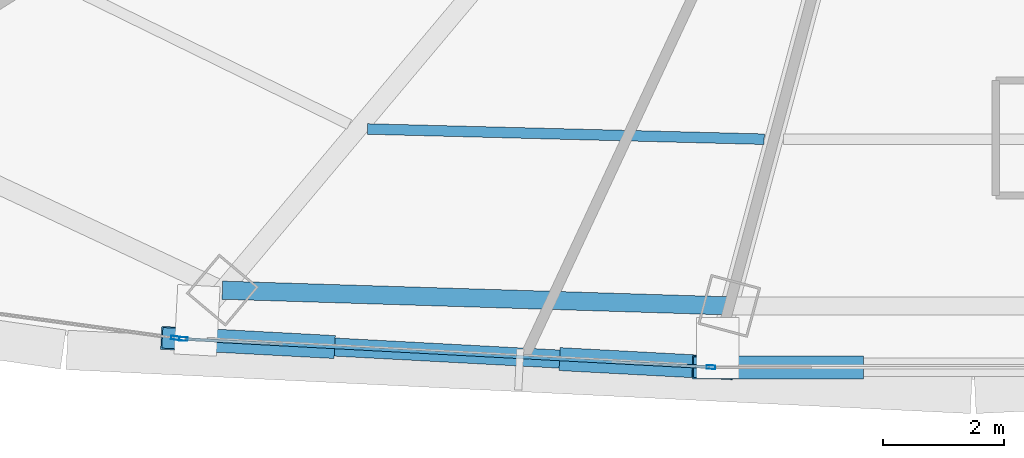
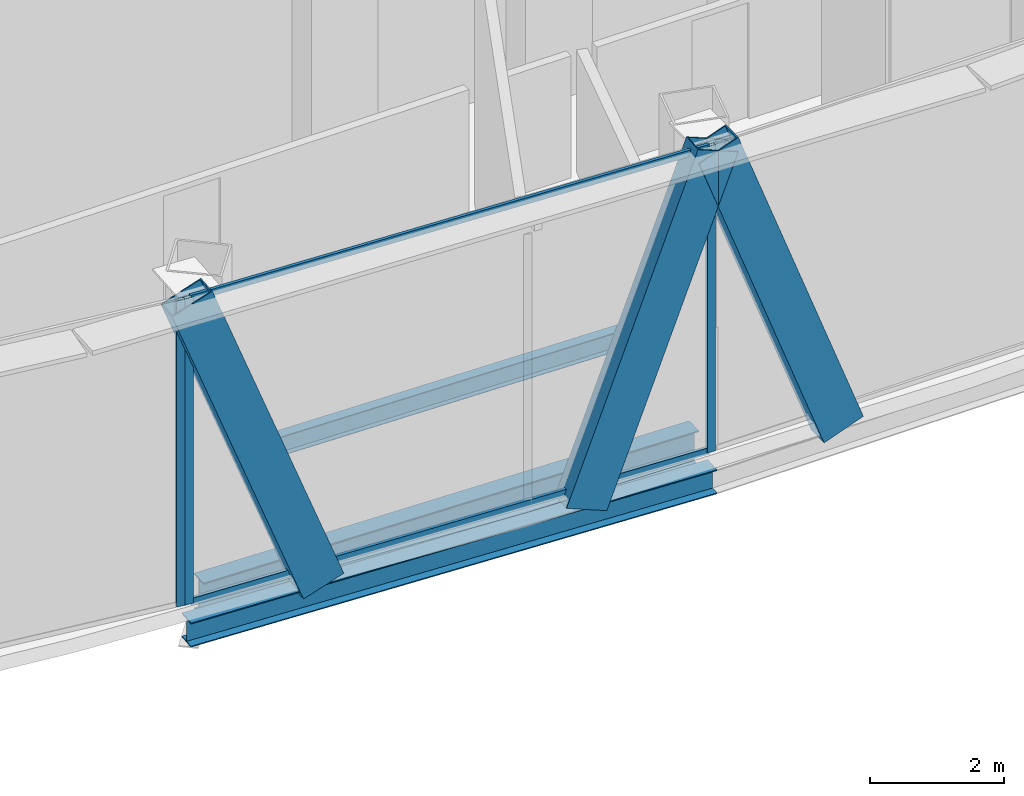
# One storey, part 6 of 38: 8 members, 3 beams, 2 elements without a shape of their own.
"""IFC4 building model written with IfcOpenShell, lengths in metres."""

from ifc_helpers import new_model, si_unit, direction, frame, origin, origin_2d, place, context, subcontext, project, spatial, hollow_rectangle, i_section, extrude, source, transform, mapped, material, layer, layer_set, material_profile, profile_set, type_object, element, aggregate, save


model = new_model("IFC4")

# Units and contexts
model_context = context("Model", 3, precision=1e-05, world=origin(), true_north=direction((0.0, 1.0)))
body_context = subcontext(model_context, "Body", "Model", "MODEL_VIEW")
ifc_project = project(units=[si_unit("LENGTHUNIT", "METRE"), si_unit("AREAUNIT", "SQUARE_METRE"), si_unit("VOLUMEUNIT", "CUBIC_METRE"), si_unit("PLANEANGLEUNIT", "RADIAN"), si_unit("MASSUNIT", "GRAM", prefix="KILO"), si_unit("THERMODYNAMICTEMPERATUREUNIT", "KELVIN"), si_unit("POWERUNIT", "WATT")], contexts=[model_context])

# Site, building, storey
site_placement = place(None, origin())
site = spatial("IfcSite", under=ifc_project, at=site_placement, CompositionType="ELEMENT")
building_placement = place(site_placement, origin())
building = spatial("IfcBuilding", under=site, at=building_placement, Name="Yunzhuo Pagoda Commons", CompositionType="ELEMENT")
storey_placement = place(building_placement, frame((0.0, 0.0, 266.909912109375)))
storey = spatial("IfcBuildingStorey", under=building, at=storey_placement, Name="L67", CompositionType="ELEMENT", Elevation=266.909912109375)

# Beams
ifc_material_1 = material(Name="Structural steel Q355B", Category="steel")
ifc_material_profile_1 = material_profile(ifc_material_1, i_section(OverallWidth=0.300048828125, OverallDepth=0.64990234375, WebThickness=0.012939453125, FlangeThickness=0.02197265625, at=origin_2d()), Name="Structural steel Q355B")
ifc_profile_set_1 = profile_set([ifc_material_profile_1], Name="Structural steel Q355B")
beam_type_1 = type_object("IfcBeamType", Name="B-RG2 Beam HN 650x300x13x22", PredefinedType="BEAM", material=ifc_profile_set_1)
shared_shape_1 = source(origin(), body_context, "Body", "SweptSolid", [
    extrude(i_section(OverallWidth=0.300048828125, OverallDepth=0.64990234375, WebThickness=0.012939453125, FlangeThickness=0.02197265625, at=origin_2d()), origin(), (0.0, 0.0, 1.0), 8.37939453125),
])
beam_1_placement = place(storey_placement, frame((35.593017578125, 18.913818359375, -0.5849609375), z_axis=(0.999519382133, -0.031000076447, 0.0), x_axis=(0.031000076447, 0.999519382133, 0.0)))
element("IfcBeam", 1, at=beam_1_placement, inside=storey, type_object=beam_type_1, Name="L67 column-ring beam 1", PredefinedType="BEAM", context=body_context, shape_type="MappedRepresentation", body=[
    mapped(shared_shape_1, transform((0.0, 0.0, 0.0), scale=1.0)),
])
ifc_material_profile_2 = material_profile(ifc_material_1, i_section(OverallWidth=0.175048828125, OverallDepth=0.35009765625, WebThickness=0.007080078125, FlangeThickness=0.010986328125, at=origin_2d()), Name="Structural steel Q355B")
ifc_profile_set_2 = profile_set([ifc_material_profile_2], Name="Structural steel Q355B")
beam_type_2 = type_object("IfcBeamType", Name="B-JS2 Joist HN 350x175x7x11", PredefinedType="JOIST", material=ifc_profile_set_2)
shared_shape_2 = source(origin(), body_context, "Body", "SweptSolid", [
    extrude(i_section(OverallWidth=0.175048828125, OverallDepth=0.35009765625, WebThickness=0.007080078125, FlangeThickness=0.010986328125, at=origin_2d()), origin(), (0.0, 0.0, 1.0), 6.558349609375),
])
beam_2_placement = place(storey_placement, frame((37.990234375, 21.577392578125, -0.434814453125), z_axis=(0.99966910323, -0.025723220017, 0.0), x_axis=(0.025723220017, 0.99966910323, 0.0)))
element("IfcBeam", 2, at=beam_2_placement, inside=storey, type_object=beam_type_2, Name="L67 composite ring joist 2.1", PredefinedType="JOIST", context=body_context, shape_type="MappedRepresentation", body=[
    mapped(shared_shape_2, transform((0.0, 0.0, 0.0), scale=1.0)),
])
ifc_material_profile_3 = material_profile(ifc_material_1, i_section(OverallWidth=0.300048828125, OverallDepth=0.43994140625, WebThickness=0.010986328125, FlangeThickness=0.01806640625, at=origin_2d()), Name="Structural steel Q355B")
ifc_profile_set_3 = profile_set([ifc_material_profile_3], Name="Structural steel Q355B")
beam_type_3 = type_object("IfcBeamType", Name="B-SP2 Beam HM 440x300x11x18", PredefinedType="BEAM", material=ifc_profile_set_3)
shared_shape_3 = source(origin(), body_context, "Body", "SweptSolid", [
    extrude(i_section(OverallWidth=0.300048828125, OverallDepth=0.43994140625, WebThickness=0.010986328125, FlangeThickness=0.01806640625, at=origin_2d()), origin(), (0.0, 0.0, 1.0), 8.791259765625),
])
beam_3_placement = place(storey_placement, frame((34.91796875, 18.109375, -0.47998046875), z_axis=(0.998571573919, -0.053430438518, 0.0), x_axis=(0.053430438518, 0.998571573919, 0.0)))
element("IfcBeam", 3, at=beam_3_placement, inside=storey, type_object=beam_type_3, Name="L67 facade edge spandrel beam F1.1", PredefinedType="BEAM", context=body_context, shape_type="MappedRepresentation", body=[
    mapped(shared_shape_3, transform((0.0, 0.0, 0.0), scale=1.0)),
])

# Members
ifc_material_profile_4 = material_profile(ifc_material_1, hollow_rectangle(XDim=0.3798828125, YDim=0.719970703125, WallThickness=0.02001953125, at=origin_2d()), Name="Structural steel Q355B")
ifc_profile_set_4 = profile_set([ifc_material_profile_4], Name="Structural steel Q355B")
member_type_1 = type_object("IfcMemberType", Name="M-DL3 Brace BOX 720x380x20", PredefinedType="BRACE", material=ifc_profile_set_4)
shared_shape_4 = source(origin(), body_context, "Body", "SweptSolid", [
    extrude(hollow_rectangle(XDim=0.3798828125, YDim=0.719970703125, WallThickness=0.02001953125, at=origin_2d()), origin(), (0.0, 0.0, 1.0), 6.230712890625),
])
member_1_placement = place(storey_placement, frame((37.112548828125, 17.991943359375, -0.260009765625), z_axis=(-0.35221590061, 0.018847018377, 0.935728993489), x_axis=(-0.053433402023, -0.998571415347, 0.0)))
element("IfcMember", 4, at=member_1_placement, inside=storey, type_object=member_type_1, Name="L67 facade diamond brace F1.1L", PredefinedType="BRACE", context=body_context, shape_type="MappedRepresentation", body=[
    mapped(shared_shape_4, transform((0.0, 0.0, 0.0), scale=1.0)),
])
shared_shape_5 = source(origin(), body_context, "Body", "SweptSolid", [
    extrude(hollow_rectangle(XDim=0.3798828125, YDim=0.719970703125, WallThickness=0.02001953125, at=origin_2d()), origin(), (0.0, 0.0, 1.0), 6.23095703125),
])
member_2_placement = place(storey_placement, frame((41.501953125, 17.757080078125, -0.260009765625), z_axis=(0.352250222003, -0.018846758263, 0.935716079162), x_axis=(0.053427475341, 0.998571732465, 0.0)))
element("IfcMember", 5, at=member_2_placement, inside=storey, type_object=member_type_1, Name="L67 facade diamond brace F1.1R", PredefinedType="BRACE", context=body_context, shape_type="MappedRepresentation", body=[
    mapped(shared_shape_5, transform((0.0, 0.0, 0.0), scale=1.0)),
])
shared_shape_6 = source(origin(), body_context, "Body", "SweptSolid", [
    extrude(hollow_rectangle(XDim=0.3798828125, YDim=0.719970703125, WallThickness=0.02001953125, at=origin_2d()), origin(), (0.0, 0.0, 1.0), 6.214599609375),
])
member_3_placement = place(storey_placement, frame((45.848388671875, 17.6396484375, -0.260009765625), z_axis=(-0.346215049264, 0.0, 0.938155178882), x_axis=(0.0, -1.0, 0.0)))
element("IfcMember", 6, at=member_3_placement, inside=storey, type_object=member_type_1, Name="L67 facade diamond brace F1.2L", PredefinedType="BRACE", context=body_context, shape_type="MappedRepresentation", body=[
    mapped(shared_shape_6, transform((0.0, 0.0, 0.0), scale=1.0)),
])

# Curtain wall, members
ifc_material_2 = material(Name="Anodized aluminium 6063-T6", Category="aluminium")
ifc_layer = layer(ifc_material_2, 0.139892578125)
ifc_layer_set = layer_set([ifc_layer], Name="Anodized aluminium 6063-T6")
curtain_wall_type = type_object("IfcCurtainWallType", Name="CW-HI High-Zone Ribbon Curtain Wall", PredefinedType="NOTDEFINED", material=ifc_layer_set)
curtain_wall_1_placement = place(storey_placement, origin())
curtain_wall_1 = element("IfcCurtainWall", 7, at=curtain_wall_1_placement, inside=storey, type_object=curtain_wall_type, Name="L67 curtain wall CW-L67-F1B2", PredefinedType="NOTDEFINED")
ifc_material_profile_5 = material_profile(ifc_material_2, hollow_rectangle(XDim=0.054931640625, YDim=0.1201171875, WallThickness=0.00341796875, at=origin_2d()), Name="Anodized aluminium 6063-T6")
ifc_profile_set_5 = profile_set([ifc_material_profile_5], Name="Anodized aluminium 6063-T6")
member_type_2 = type_object("IfcMemberType", Name="CW-HI-T Transom RHS 120x55x3.5", PredefinedType="USERDEFINED", material=ifc_profile_set_5)
shared_shape_7 = source(origin(), body_context, "Body", "SweptSolid", [
    extrude(hollow_rectangle(XDim=0.054931640625, YDim=0.1201171875, WallThickness=0.00341796875, at=origin_2d()), origin(), (0.0, 0.0, 1.0), 8.67138671875),
])
member_4_placement = place(storey_placement, frame((34.977783203125, 18.106201171875, 0.027587890625), z_axis=(0.998571165488, -0.053438071224, 0.0), x_axis=(0.053438071224, 0.998571165488, 0.0)))
member_4 = element("IfcMember", 8, at=member_4_placement, type_object=member_type_2, Name="CW transom 1.1", ObjectType="TRANSOM", PredefinedType="USERDEFINED", context=body_context, shape_type="MappedRepresentation", body=[
    mapped(shared_shape_7, transform((0.0, 0.0, 0.0), scale=1.0)),
])
member_5_placement = place(storey_placement, frame((34.977783203125, 18.106201171875, 5.54248046875), z_axis=(0.998571165488, -0.053438071224, 0.0), x_axis=(0.053438071224, 0.998571165488, 0.0)))
member_5 = element("IfcMember", 9, at=member_5_placement, type_object=member_type_2, Name="CW transom 1.2", ObjectType="TRANSOM", PredefinedType="USERDEFINED", context=body_context, shape_type="MappedRepresentation", body=[
    mapped(shared_shape_7, transform((0.0, 0.0, 0.0), scale=1.0)),
])
ifc_material_profile_6 = material_profile(ifc_material_2, hollow_rectangle(XDim=0.06005859375, YDim=0.139892578125, WallThickness=0.00341796875, at=origin_2d()), Name="Anodized aluminium 6063-T6")
ifc_profile_set_6 = profile_set([ifc_material_profile_6], Name="Anodized aluminium 6063-T6")
member_type_3 = type_object("IfcMemberType", Name="CW-HI-M Mullion RHS 140x60x3.5", PredefinedType="MULLION", material=ifc_profile_set_6)
shared_shape_8 = source(origin(), body_context, "Body", "SweptSolid", [
    extrude(hollow_rectangle(XDim=0.06005859375, YDim=0.139892578125, WallThickness=0.00341796875, at=origin_2d()), origin(), (0.0, 0.0, 1.0), 5.5703125),
])
member_6_placement = place(storey_placement, frame((34.94775390625, 18.10791015625, 0.0), z_axis=(0.0, 0.0, 1.0), x_axis=(0.053427477858, 0.998571732331, 0.0)))
member_6 = element("IfcMember", 10, at=member_6_placement, type_object=member_type_3, Name="CW mullion 1", PredefinedType="MULLION", context=body_context, shape_type="MappedRepresentation", body=[
    mapped(shared_shape_8, transform((0.0, 0.0, 0.0), scale=1.0)),
])
member_7_placement = place(storey_placement, frame((43.666748046875, 17.641357421875, 0.0), z_axis=(0.0, 0.0, 1.0), x_axis=(0.053427477858, 0.998571732331, 0.0)))
member_7 = element("IfcMember", 11, at=member_7_placement, type_object=member_type_3, Name="CW mullion 2", PredefinedType="MULLION", context=body_context, shape_type="MappedRepresentation", body=[
    mapped(shared_shape_8, transform((0.0, 0.0, 0.0), scale=1.0)),
])
aggregate(curtain_wall_1, [member_6, member_7, member_4, member_5])

# Curtain wall, member
curtain_wall_2_placement = place(storey_placement, origin())
curtain_wall_2 = element("IfcCurtainWall", 12, at=curtain_wall_2_placement, inside=storey, type_object=curtain_wall_type, Name="L67 curtain wall CW-L67-F1B1", PredefinedType="NOTDEFINED")
member_8_placement = place(storey_placement, frame((34.81396484375, 18.123779296875, 0.0), z_axis=(0.0, 0.0, 1.0), x_axis=(0.136099051399, 0.990695234776, 0.0)))
member_8 = element("IfcMember", 13, at=member_8_placement, type_object=member_type_3, Name="CW mullion 2", PredefinedType="MULLION", context=body_context, shape_type="MappedRepresentation", body=[
    mapped(shared_shape_8, transform((0.0, 0.0, 0.0), scale=1.0)),
])
aggregate(curtain_wall_2, [member_8])

save(model, "model.ifc")
